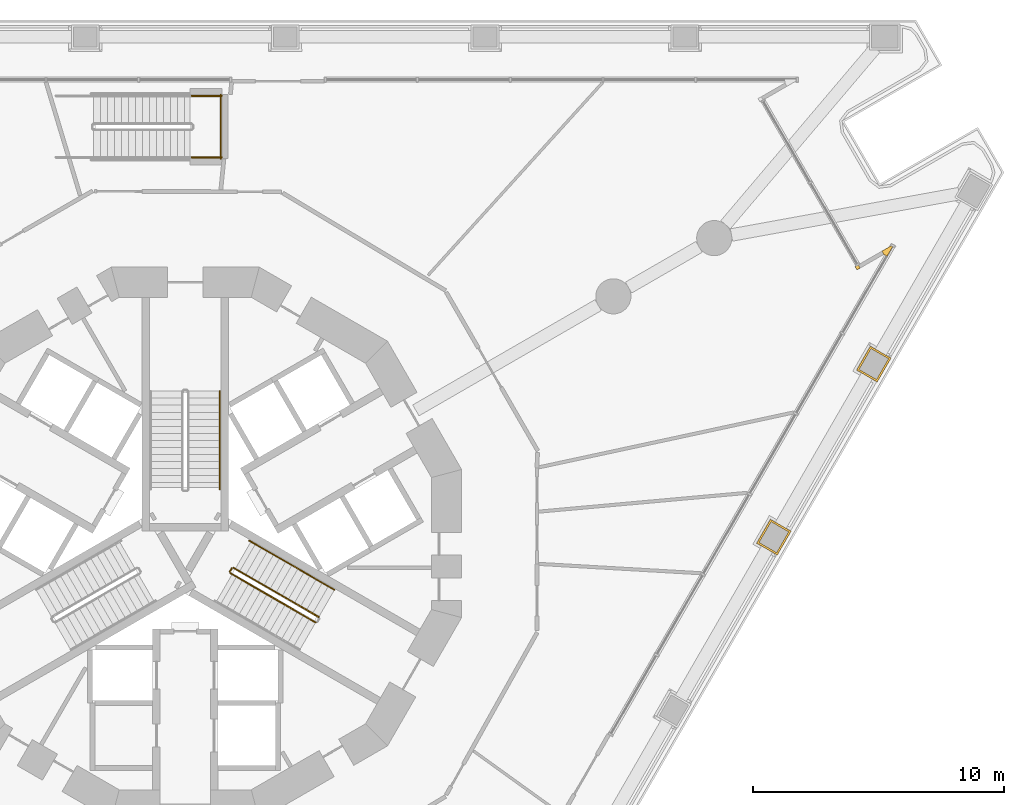
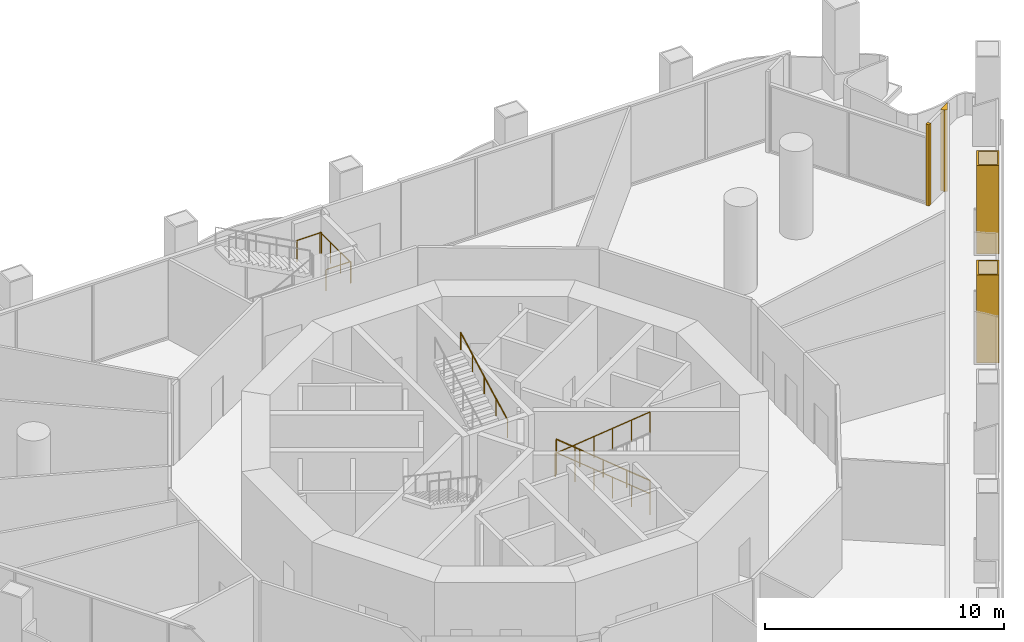
# One storey, part 21 of 22: 9 railings, 4 coverings.
"""IFC4 building model written with IfcOpenShell, lengths in metres."""

from ifc_helpers import new_model, si_unit, direction, frame, origin, origin_2d, place, context, subcontext, project, spatial, polyline, circle, outline, extrude, material, layer, layer_set, type_object, element, save


model = new_model("IFC4")

# Units and contexts
model_context = context("Model", 3, precision=1e-05, world=origin(), true_north=direction((0.0, 1.0)))
body_context = subcontext(model_context, "Body", "Model", "MODEL_VIEW")
ifc_project = project(units=[si_unit("LENGTHUNIT", "METRE"), si_unit("AREAUNIT", "SQUARE_METRE"), si_unit("VOLUMEUNIT", "CUBIC_METRE"), si_unit("PLANEANGLEUNIT", "RADIAN"), si_unit("MASSUNIT", "GRAM", prefix="KILO")], contexts=[model_context])

# Site, building, storey
site_placement = place(None, origin())
site = spatial("IfcSite", under=ifc_project, at=site_placement, CompositionType="ELEMENT")
building_placement = place(site_placement, origin())
building = spatial("IfcBuilding", under=site, at=building_placement, Name="Trine Commons Tower", CompositionType="ELEMENT")
storey_placement = place(building_placement, frame((0.0, 0.0, 22.5)))
storey = spatial("IfcBuildingStorey", under=building, at=storey_placement, Name="L04", CompositionType="ELEMENT", Elevation=22.5)

# Railings
ifc_material_1 = material(Name="Structural steel ASTM A500 Gr C", Category="steel")
railing_type_1 = type_object("IfcRailingType", Name="Glass and steel guard 1100 mm, ASTM A500 Gr C", PredefinedType="GUARDRAIL", material=ifc_material_1)
for number, where, name in (
    (1, (80.260009765625, 77.885009765625, 2.25), "L04 PS1 stair guard 3"),
    (2, (80.260009765625, 80.3349609375, 2.25), "L04 PS1 stair guard 4"),
):
    element("IfcRailing", number, at=place(storey_placement, frame(where)), inside=storey, type_object=railing_type_1, Name=name, PredefinedType="GUARDRAIL", context=body_context, shape_type="SweptSolid", body=[
        extrude(circle(Radius=0.02392578125, at=origin_2d()), frame((0.0, 0.0, 1.076171875), z_axis=(1.0, 0.0, 0.0), x_axis=(0.0, 1.0, 0.0)), (0.0, 0.0, 1.0), 1.199951171875),
        extrude(circle(Radius=0.02099609375, at=origin_2d()), origin(), (0.0, 0.0, 1.0), 1.052001953125),
        extrude(circle(Radius=0.02099609375, at=origin_2d()), frame((1.199951171875, 0.0, 0.0)), (0.0, 0.0, 1.0), 1.052001953125),
    ])
railing_1_placement = place(storey_placement, frame((81.409912109375, 77.8349609375, 2.25)))
element("IfcRailing", 3, at=railing_1_placement, inside=storey, type_object=railing_type_1, Name="L04 PS1 stair guard 5", PredefinedType="GUARDRAIL", context=body_context, shape_type="SweptSolid", body=[
    extrude(circle(Radius=0.02392578125, at=origin_2d()), frame((0.0, 0.0, 1.076171875), z_axis=(0.0, 1.0, 0.0), x_axis=(-1.0, 0.0, 0.0)), (0.0, 0.0, 1.0), 2.550048828125),
    extrude(circle(Radius=0.02099609375, at=origin_2d()), origin(), (0.0, 0.0, 1.0), 1.052001953125),
    extrude(circle(Radius=0.02099609375, at=origin_2d()), frame((0.0, 0.85009765625, 0.0)), (0.0, 0.0, 1.0), 1.052001953125),
    extrude(circle(Radius=0.02099609375, at=origin_2d()), frame((0.0, 1.699951171875, 0.0)), (0.0, 0.0, 1.0), 1.052001953125),
    extrude(circle(Radius=0.02099609375, at=origin_2d()), frame((0.0, 2.550048828125, 0.0)), (0.0, 0.0, 1.0), 1.052001953125),
])

# Coverings
ifc_material_2 = material(Name="Aluminium-framed insulated wall panel", Category="aluminium")
ifc_layer_1 = layer(ifc_material_2, 0.14990234375)
ifc_layer_set_1 = layer_set([ifc_layer_1], Name="Aluminium-framed insulated wall panel")
covering_type_1 = type_object("IfcCoveringType", Name="Glazing corner post, aluminium", PredefinedType="CLADDING", material=ifc_layer_set_1)
covering_1_placement = place(storey_placement, origin())
element("IfcCovering", 4, at=covering_1_placement, inside=storey, type_object=covering_type_1, Name="Glazing corner post 1-07", PredefinedType="CLADDING", context=body_context, shape_type="SweptSolid", body=[
    extrude(outline(polyline([(106.688720703125, 73.532470703125), (106.763671875, 73.402587890625), (106.8935546875, 73.4775390625), (106.818603515625, 73.607421875), (106.688720703125, 73.532470703125)])), origin(), (0.0, 0.0, 1.0), 4.14990234375),
])
covering_2_placement = place(storey_placement, origin())
element("IfcCovering", 5, at=covering_2_placement, inside=storey, type_object=covering_type_1, Name="Glazing corner post 1-08", PredefinedType="CLADDING", context=body_context, shape_type="SweptSolid", body=[
    extrude(outline(polyline([(107.963623046875, 73.9453125), (108.24365234375, 74.43017578125), (107.7587890625, 74.150146484375), (107.833740234375, 74.020263671875), (107.963623046875, 73.9453125)])), origin(), (0.0, 0.0, 1.0), 4.14990234375),
])
ifc_material_3 = material(Name="Limestone, honed", Category="masonry")
ifc_layer_2 = layer(ifc_material_3, 0.074951171875)
ifc_layer_set_2 = layer_set([ifc_layer_2], Name="Limestone, honed")
covering_type_2 = type_object("IfcCoveringType", Name="Limestone column cladding 75", PredefinedType="CLADDING", material=ifc_layer_set_2)
covering_3_placement = place(storey_placement, origin())
element("IfcCovering", 6, at=covering_3_placement, inside=storey, type_object=covering_type_2, Name="Limestone pier cladding 1-18", PredefinedType="CLADDING", context=body_context, shape_type="SweptSolid", body=[
    extrude(outline(polyline([(108.12109375, 69.8876953125), (107.298095703125, 70.36279296875), (106.748291015625, 69.41015625), (107.571044921875, 68.93505859375), (108.12109375, 69.8876953125)]), holes=[polyline([(108.0185546875, 69.8603515625), (107.32568359375, 70.26025390625), (106.8505859375, 69.4375), (107.54345703125, 69.03759765625), (108.0185546875, 69.8603515625)])]), origin(), (0.0, 0.0, 1.0), 4.5),
])
covering_4_placement = place(storey_placement, origin())
element("IfcCovering", 7, at=covering_4_placement, inside=storey, type_object=covering_type_2, Name="Limestone pier cladding 1-19", PredefinedType="CLADDING", context=body_context, shape_type="SweptSolid", body=[
    extrude(outline(polyline([(104.139404296875, 62.9912109375), (103.31640625, 63.46630859375), (102.7666015625, 62.513671875), (103.58935546875, 62.03857421875), (104.139404296875, 62.9912109375)]), holes=[polyline([(104.036865234375, 62.9638671875), (103.343994140625, 63.36376953125), (102.868896484375, 62.541015625), (103.561767578125, 62.14111328125), (104.036865234375, 62.9638671875)])]), origin(), (0.0, 0.0, 1.0), 4.5),
])

# Railings
ifc_material_4 = material(Name="Stainless steel balustrade", Category="steel")
railing_type_2 = type_object("IfcRailingType", Name="Stair guard, steel balustrade 1100", PredefinedType="GUARDRAIL", material=ifc_material_4)
railing_2_placement = place(storey_placement, frame((85.31982421875, 59.572998046875, 0.14990234375)))
element("IfcRailing", 8, at=railing_2_placement, inside=storey, type_object=railing_type_2, Name="L04 ST3A stair guard 1", PredefinedType="GUARDRAIL", context=body_context, shape_type="SweptSolid", body=[
    extrude(circle(Radius=0.02392578125, at=origin_2d()), frame((0.0, 0.0, 1.076171875), z_axis=(-0.763374939589, 0.440731680332, 0.472243885677), x_axis=(-0.499997407846, -0.86602690036, 0.0)), (0.0, 0.0, 1.0), 4.447021484375),
    extrude(circle(Radius=0.02099609375, at=origin_2d()), origin(), (0.0, 0.0, 1.0), 1.052001953125),
    extrude(circle(Radius=0.02099609375, at=origin_2d()), frame((-0.678955078125, 0.39208984375, 0.419921875)), (0.0, 0.0, 1.0), 1.052001953125),
    extrude(circle(Radius=0.02099609375, at=origin_2d()), frame((-1.35791015625, 0.783935546875, 0.840087890625)), (0.0, 0.0, 1.0), 1.052001953125),
    extrude(circle(Radius=0.02099609375, at=origin_2d()), frame((-2.036865234375, 1.176025390625, 1.260009765625)), (0.0, 0.0, 1.0), 1.052001953125),
    extrude(circle(Radius=0.02099609375, at=origin_2d()), frame((-2.7158203125, 1.56787109375, 1.68017578125)), (0.0, 0.0, 1.0), 1.052001953125),
    extrude(circle(Radius=0.02099609375, at=origin_2d()), frame((-3.394775390625, 1.9599609375, 2.10009765625)), (0.0, 0.0, 1.0), 1.052001953125),
])
railing_3_placement = place(storey_placement, frame((81.856689453125, 61.5146484375, 2.25)))
element("IfcRailing", 9, at=railing_3_placement, inside=storey, type_object=railing_type_2, Name="L04 ST3A stair guard 2", PredefinedType="GUARDRAIL", context=body_context, shape_type="SweptSolid", body=[
    extrude(circle(Radius=0.02392578125, at=origin_2d()), frame((0.0, 0.0, 1.076171875), z_axis=(-0.499816412211, -0.866131372301, 0.0), x_axis=(0.866131372301, -0.499816412211, 0.0)), (0.0, 0.0, 1.0), 0.14990234375),
    extrude(circle(Radius=0.02099609375, at=origin_2d()), origin(), (0.0, 0.0, 1.0), 1.052001953125),
    extrude(circle(Radius=0.02099609375, at=origin_2d()), frame((-0.074951171875, -0.1298828125, 0.0)), (0.0, 0.0, 1.0), 1.052001953125),
])
railing_4_placement = place(storey_placement, frame((81.800048828125, 61.31640625, 2.39990234375)))
element("IfcRailing", 10, at=railing_4_placement, inside=storey, type_object=railing_type_2, Name="L04 ST3A stair guard 3", PredefinedType="GUARDRAIL", context=body_context, shape_type="SweptSolid", body=[
    extrude(circle(Radius=0.02392578125, at=origin_2d()), frame((0.0, 0.0, 1.076171875), z_axis=(0.763374939589, -0.440731680332, 0.472243885677), x_axis=(0.499997407846, 0.86602690036, 0.0)), (0.0, 0.0, 1.0), 4.447021484375),
    extrude(circle(Radius=0.02099609375, at=origin_2d()), origin(), (0.0, 0.0, 1.0), 1.052001953125),
    extrude(circle(Radius=0.02099609375, at=origin_2d()), frame((0.678955078125, -0.39208984375, 0.419921875)), (0.0, 0.0, 1.0), 1.052001953125),
    extrude(circle(Radius=0.02099609375, at=origin_2d()), frame((1.35791015625, -0.783935546875, 0.840087890625)), (0.0, 0.0, 1.0), 1.052001953125),
    extrude(circle(Radius=0.02099609375, at=origin_2d()), frame((2.036865234375, -1.176025390625, 1.260009765625)), (0.0, 0.0, 1.0), 1.052001953125),
    extrude(circle(Radius=0.02099609375, at=origin_2d()), frame((2.7158203125, -1.56787109375, 1.68017578125)), (0.0, 0.0, 1.0), 1.052001953125),
    extrude(circle(Radius=0.02099609375, at=origin_2d()), frame((3.394775390625, -1.9599609375, 2.10009765625)), (0.0, 0.0, 1.0), 1.052001953125),
])
ifc_material_5 = material(Name="Stainless steel handrail", Category="steel")
railing_type_3 = type_object("IfcRailingType", Name="Stair handrail, steel 900", PredefinedType="HANDRAIL", material=ifc_material_5)
railing_5_placement = place(storey_placement, frame((81.375, 64.650634765625, 2.39990234375)))
element("IfcRailing", 11, at=railing_5_placement, inside=storey, type_object=railing_type_3, Name="L04 ST1A stair handrail 2", PredefinedType="HANDRAIL", context=body_context, shape_type="SweptSolid", body=[
    extrude(circle(Radius=0.02099609375, at=origin_2d()), frame((0.0, 0.0, 0.87890625), z_axis=(0.0, 0.881466911329, 0.472245787945), x_axis=(-1.0, 0.0, 0.0)), (0.0, 0.0, 1.0), 4.447021484375),
    extrude(circle(Radius=0.01513671875, at=origin_2d()), origin(), (0.0, 0.0, 1.0), 0.85791015625),
    extrude(circle(Radius=0.01513671875, at=origin_2d()), frame((0.0, 0.97998046875, 0.52490234375)), (0.0, 0.0, 1.0), 0.85791015625),
    extrude(circle(Radius=0.01513671875, at=origin_2d()), frame((0.0, 1.9599609375, 1.050048828125)), (0.0, 0.0, 1.0), 0.85791015625),
    extrude(circle(Radius=0.01513671875, at=origin_2d()), frame((0.0, 2.93994140625, 1.5751953125)), (0.0, 0.0, 1.0), 0.85791015625),
    extrude(circle(Radius=0.01513671875, at=origin_2d()), frame((0.0, 3.919921875, 2.10009765625)), (0.0, 0.0, 1.0), 0.85791015625),
])
railing_6_placement = place(storey_placement, frame((85.94482421875, 60.655517578125, 0.14990234375)))
element("IfcRailing", 12, at=railing_6_placement, inside=storey, type_object=railing_type_3, Name="L04 ST3A stair handrail 1", PredefinedType="HANDRAIL", context=body_context, shape_type="SweptSolid", body=[
    extrude(circle(Radius=0.02099609375, at=origin_2d()), frame((0.0, 0.0, 0.87890625), z_axis=(-0.763397845365, 0.440713210311, 0.472224095054), x_axis=(-0.499970440388, -0.866042469362, 0.0)), (0.0, 0.0, 1.0), 2.2236328125),
    extrude(circle(Radius=0.01513671875, at=origin_2d()), origin(), (0.0, 0.0, 1.0), 0.85791015625),
    extrude(circle(Radius=0.01513671875, at=origin_2d()), frame((-0.8486328125, 0.489990234375, 0.52490234375)), (0.0, 0.0, 1.0), 0.85791015625),
    extrude(circle(Radius=0.01513671875, at=origin_2d()), frame((-1.697509765625, 0.97998046875, 1.050048828125)), (0.0, 0.0, 1.0), 0.85791015625),
])
railing_7_placement = place(storey_placement, frame((84.247314453125, 61.635498046875, 1.199951171875)))
element("IfcRailing", 13, at=railing_7_placement, inside=storey, type_object=railing_type_3, Name="L04 ST3A stair handrail 2", PredefinedType="HANDRAIL", context=body_context, shape_type="SweptSolid", body=[
    extrude(circle(Radius=0.02099609375, at=origin_2d()), frame((0.0, 0.0, 0.87890625), z_axis=(-0.763352030933, 0.440750151347, 0.472263677365), x_axis=(-0.500024377727, -0.866011328839, 0.0)), (0.0, 0.0, 1.0), 2.223388671875),
    extrude(circle(Radius=0.01513671875, at=origin_2d()), origin(), (0.0, 0.0, 1.0), 0.85791015625),
    extrude(circle(Radius=0.01513671875, at=origin_2d()), frame((-0.8486328125, 0.489990234375, 0.52490234375)), (0.0, 0.0, 1.0), 0.85791015625),
    extrude(circle(Radius=0.01513671875, at=origin_2d()), frame((-1.697265625, 0.97998046875, 1.050048828125)), (0.0, 0.0, 1.0), 0.85791015625),
])

save(model, "model.ifc")
